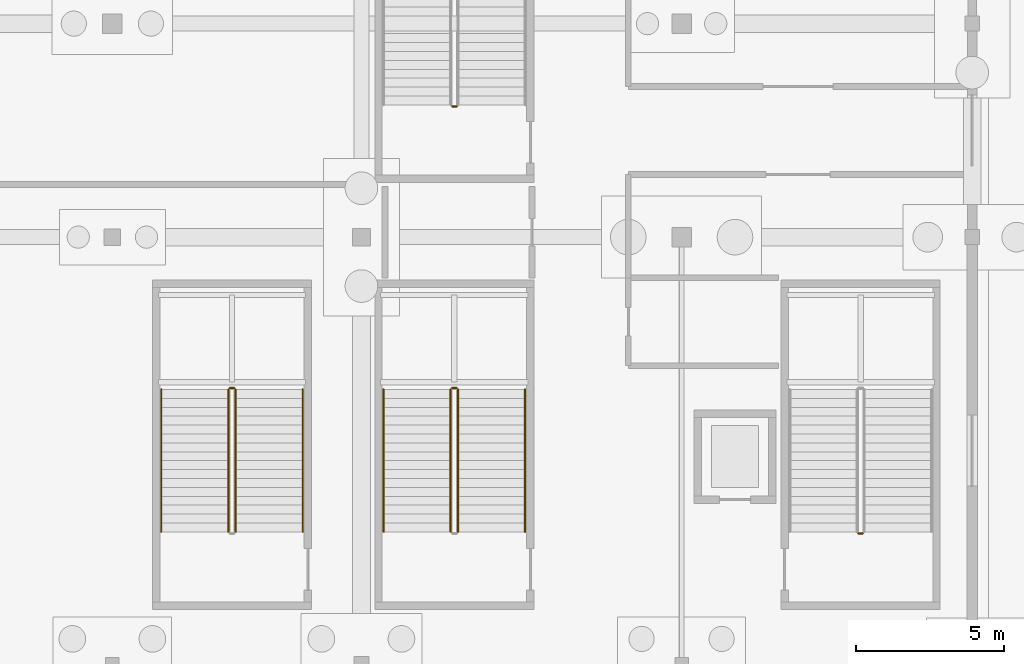
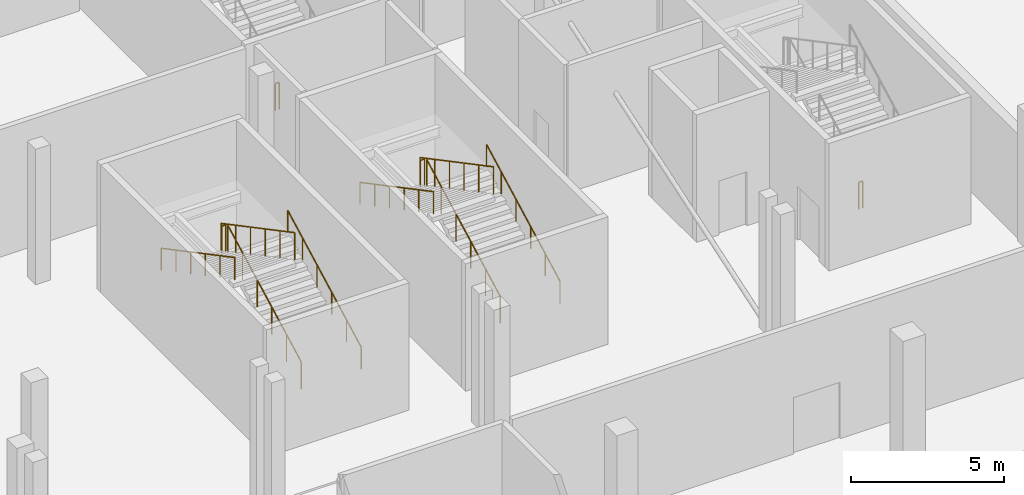
# One storey, part 77 of 89: 12 railings.
"""IFC4 building model written with IfcOpenShell, lengths in metres."""

from ifc_helpers import new_model, si_unit, direction, frame, origin, origin_2d, place, context, subcontext, project, spatial, circle, extrude, material, type_object, element, save


model = new_model("IFC4")

# Units and contexts
model_context = context("Model", 3, precision=1e-05, world=origin(), true_north=direction((0.0, 1.0)))
body_context = subcontext(model_context, "Body", "Model", "MODEL_VIEW")
ifc_project = project(units=[si_unit("LENGTHUNIT", "METRE"), si_unit("AREAUNIT", "SQUARE_METRE"), si_unit("VOLUMEUNIT", "CUBIC_METRE"), si_unit("PLANEANGLEUNIT", "RADIAN"), si_unit("MASSUNIT", "GRAM", prefix="KILO")], contexts=[model_context])

# Site, building, storey
site_placement = place(None, origin())
site = spatial("IfcSite", under=ifc_project, at=site_placement, CompositionType="ELEMENT")
building_placement = place(site_placement, origin())
building = spatial("IfcBuilding", under=site, at=building_placement, Name="Koshinbarg Plaza Stadium", CompositionType="ELEMENT")
storey_placement = place(building_placement, origin())
storey = spatial("IfcBuildingStorey", under=building, at=storey_placement, Name="L00", CompositionType="ELEMENT", Elevation=0.0)

# Railings
ifc_material_1 = material(Name="Galvanized painted steel guardrail", Category="steel")
railing_type_1 = type_object("IfcRailingType", Name="RL-GUARD-1100", PredefinedType="GUARDRAIL", material=ifc_material_1)
railing_1_placement = place(storey_placement, frame((214.7099609375, 29.909912109375, 0.0)))
element("IfcRailing", 1, at=railing_1_placement, inside=storey, type_object=railing_type_1, Name="L00 C07 stair guard 4", PredefinedType="GUARDRAIL", context=body_context, shape_type="SweptSolid", body=[
    extrude(circle(Radius=0.02392578125, at=origin_2d()), frame((0.0, 0.0, 1.076171875), z_axis=(-1.0, 0.0, 0.0), x_axis=(0.0, -1.0, 0.0)), (0.0, 0.0, 1.0), 0.14990234375),
    extrude(circle(Radius=0.02099609375, at=origin_2d()), origin(), (0.0, 0.0, 1.0), 1.052001953125),
    extrude(circle(Radius=0.02099609375, at=origin_2d()), frame((-0.14990234375, 0.0, 0.0)), (0.0, 0.0, 1.0), 1.052001953125),
])
railing_2_placement = place(storey_placement, frame((201.06005859375, 29.9599609375, 0.158935546875)))
element("IfcRailing", 2, at=railing_2_placement, inside=storey, type_object=railing_type_1, Name="L00 VX07 stair guard 1", PredefinedType="GUARDRAIL", context=body_context, shape_type="SweptSolid", body=[
    extrude(circle(Radius=0.02392578125, at=origin_2d()), frame((0.0, 0.0, 1.076171875), z_axis=(0.0, 0.883802130504, 0.467860870469), x_axis=(-1.0, 0.0, 0.0)), (0.0, 0.0, 1.0), 5.43115234375),
    extrude(circle(Radius=0.02099609375, at=origin_2d()), origin(), (0.0, 0.0, 1.0), 1.052001953125),
    extrude(circle(Radius=0.02099609375, at=origin_2d()), frame((0.0, 0.9599609375, 0.50830078125)), (0.0, 0.0, 1.0), 1.052001953125),
    extrude(circle(Radius=0.02099609375, at=origin_2d()), frame((0.0, 1.919921875, 1.016357421875)), (0.0, 0.0, 1.0), 1.052001953125),
    extrude(circle(Radius=0.02099609375, at=origin_2d()), frame((0.0, 2.880126953125, 1.524658203125)), (0.0, 0.0, 1.0), 1.052001953125),
    extrude(circle(Radius=0.02099609375, at=origin_2d()), frame((0.0, 3.840087890625, 2.03271484375)), (0.0, 0.0, 1.0), 1.052001953125),
    extrude(circle(Radius=0.02099609375, at=origin_2d()), frame((0.0, 4.800048828125, 2.541015625)), (0.0, 0.0, 1.0), 1.052001953125),
])
railing_3_placement = place(storey_placement, frame((201.010009765625, 34.81005859375, 2.699951171875)))
element("IfcRailing", 3, at=railing_3_placement, inside=storey, type_object=railing_type_1, Name="L00 VX07 stair guard 2", PredefinedType="GUARDRAIL", context=body_context, shape_type="SweptSolid", body=[
    extrude(circle(Radius=0.02392578125, at=origin_2d()), frame((0.0, 0.0, 1.076171875), z_axis=(-1.0, 0.0, 0.0), x_axis=(0.0, -1.0, 0.0)), (0.0, 0.0, 1.0), 0.14990234375),
    extrude(circle(Radius=0.02099609375, at=origin_2d()), origin(), (0.0, 0.0, 1.0), 1.052001953125),
    extrude(circle(Radius=0.02099609375, at=origin_2d()), frame((-0.14990234375, 0.0, 0.0)), (0.0, 0.0, 1.0), 1.052001953125),
])
railing_4_placement = place(storey_placement, frame((200.81005859375, 34.760009765625, 2.85888671875)))
element("IfcRailing", 4, at=railing_4_placement, inside=storey, type_object=railing_type_1, Name="L00 VX07 stair guard 3", PredefinedType="GUARDRAIL", context=body_context, shape_type="SweptSolid", body=[
    extrude(circle(Radius=0.02392578125, at=origin_2d()), frame((0.0, 0.0, 1.076171875), z_axis=(0.0, -0.883802130504, 0.467860870469), x_axis=(1.0, 0.0, 0.0)), (0.0, 0.0, 1.0), 5.43115234375),
    extrude(circle(Radius=0.02099609375, at=origin_2d()), origin(), (0.0, 0.0, 1.0), 1.052001953125),
    extrude(circle(Radius=0.02099609375, at=origin_2d()), frame((0.0, -0.9599609375, 0.50830078125)), (0.0, 0.0, 1.0), 1.052001953125),
    extrude(circle(Radius=0.02099609375, at=origin_2d()), frame((0.0, -1.919921875, 1.016357421875)), (0.0, 0.0, 1.0), 1.052001953125),
    extrude(circle(Radius=0.02099609375, at=origin_2d()), frame((0.0, -2.880126953125, 1.524658203125)), (0.0, 0.0, 1.0), 1.052001953125),
    extrude(circle(Radius=0.02099609375, at=origin_2d()), frame((0.0, -3.840087890625, 2.03271484375)), (0.0, 0.0, 1.0), 1.052001953125),
    extrude(circle(Radius=0.02099609375, at=origin_2d()), frame((0.0, -4.800048828125, 2.541015625)), (0.0, 0.0, 1.0), 1.052001953125),
])
railing_5_placement = place(storey_placement, frame((201.010009765625, 44.31005859375, 0.0)))
element("IfcRailing", 5, at=railing_5_placement, inside=storey, type_object=railing_type_1, Name="L00 VX08 stair guard 4", PredefinedType="GUARDRAIL", context=body_context, shape_type="SweptSolid", body=[
    extrude(circle(Radius=0.02392578125, at=origin_2d()), frame((0.0, 0.0, 1.076171875), z_axis=(-1.0, 0.0, 0.0), x_axis=(0.0, -1.0, 0.0)), (0.0, 0.0, 1.0), 0.14990234375),
    extrude(circle(Radius=0.02099609375, at=origin_2d()), origin(), (0.0, 0.0, 1.0), 1.052001953125),
    extrude(circle(Radius=0.02099609375, at=origin_2d()), frame((-0.14990234375, 0.0, 0.0)), (0.0, 0.0, 1.0), 1.052001953125),
])
railing_6_placement = place(storey_placement, frame((193.56005859375, 29.9599609375, 0.158935546875)))
element("IfcRailing", 6, at=railing_6_placement, inside=storey, type_object=railing_type_1, Name="L00 VL05 stair guard 1", PredefinedType="GUARDRAIL", context=body_context, shape_type="SweptSolid", body=[
    extrude(circle(Radius=0.02392578125, at=origin_2d()), frame((0.0, 0.0, 1.076171875), z_axis=(0.0, 0.883802130504, 0.467860870469), x_axis=(-1.0, 0.0, 0.0)), (0.0, 0.0, 1.0), 5.43115234375),
    extrude(circle(Radius=0.02099609375, at=origin_2d()), origin(), (0.0, 0.0, 1.0), 1.052001953125),
    extrude(circle(Radius=0.02099609375, at=origin_2d()), frame((0.0, 0.9599609375, 0.50830078125)), (0.0, 0.0, 1.0), 1.052001953125),
    extrude(circle(Radius=0.02099609375, at=origin_2d()), frame((0.0, 1.919921875, 1.016357421875)), (0.0, 0.0, 1.0), 1.052001953125),
    extrude(circle(Radius=0.02099609375, at=origin_2d()), frame((0.0, 2.880126953125, 1.524658203125)), (0.0, 0.0, 1.0), 1.052001953125),
    extrude(circle(Radius=0.02099609375, at=origin_2d()), frame((0.0, 3.840087890625, 2.03271484375)), (0.0, 0.0, 1.0), 1.052001953125),
    extrude(circle(Radius=0.02099609375, at=origin_2d()), frame((0.0, 4.800048828125, 2.541015625)), (0.0, 0.0, 1.0), 1.052001953125),
])
railing_7_placement = place(storey_placement, frame((193.510009765625, 34.81005859375, 2.699951171875)))
element("IfcRailing", 7, at=railing_7_placement, inside=storey, type_object=railing_type_1, Name="L00 VL05 stair guard 2", PredefinedType="GUARDRAIL", context=body_context, shape_type="SweptSolid", body=[
    extrude(circle(Radius=0.02392578125, at=origin_2d()), frame((0.0, 0.0, 1.076171875), z_axis=(-1.0, 0.0, 0.0), x_axis=(0.0, -1.0, 0.0)), (0.0, 0.0, 1.0), 0.14990234375),
    extrude(circle(Radius=0.02099609375, at=origin_2d()), origin(), (0.0, 0.0, 1.0), 1.052001953125),
    extrude(circle(Radius=0.02099609375, at=origin_2d()), frame((-0.14990234375, 0.0, 0.0)), (0.0, 0.0, 1.0), 1.052001953125),
])
railing_8_placement = place(storey_placement, frame((193.31005859375, 34.760009765625, 2.85888671875)))
element("IfcRailing", 8, at=railing_8_placement, inside=storey, type_object=railing_type_1, Name="L00 VL05 stair guard 3", PredefinedType="GUARDRAIL", context=body_context, shape_type="SweptSolid", body=[
    extrude(circle(Radius=0.02392578125, at=origin_2d()), frame((0.0, 0.0, 1.076171875), z_axis=(0.0, -0.883802130504, 0.467860870469), x_axis=(1.0, 0.0, 0.0)), (0.0, 0.0, 1.0), 5.43115234375),
    extrude(circle(Radius=0.02099609375, at=origin_2d()), origin(), (0.0, 0.0, 1.0), 1.052001953125),
    extrude(circle(Radius=0.02099609375, at=origin_2d()), frame((0.0, -0.9599609375, 0.50830078125)), (0.0, 0.0, 1.0), 1.052001953125),
    extrude(circle(Radius=0.02099609375, at=origin_2d()), frame((0.0, -1.919921875, 1.016357421875)), (0.0, 0.0, 1.0), 1.052001953125),
    extrude(circle(Radius=0.02099609375, at=origin_2d()), frame((0.0, -2.880126953125, 1.524658203125)), (0.0, 0.0, 1.0), 1.052001953125),
    extrude(circle(Radius=0.02099609375, at=origin_2d()), frame((0.0, -3.840087890625, 2.03271484375)), (0.0, 0.0, 1.0), 1.052001953125),
    extrude(circle(Radius=0.02099609375, at=origin_2d()), frame((0.0, -4.800048828125, 2.541015625)), (0.0, 0.0, 1.0), 1.052001953125),
])
ifc_material_2 = material(Name="Brushed stainless steel handrail", Category="steel")
railing_type_2 = type_object("IfcRailingType", Name="RL-HAND-900", PredefinedType="HANDRAIL", material=ifc_material_2)
railing_9_placement = place(storey_placement, frame((203.320068359375, 29.9599609375, 0.158935546875)))
element("IfcRailing", 9, at=railing_9_placement, inside=storey, type_object=railing_type_2, Name="L00 VX07 stair handrail 1", PredefinedType="HANDRAIL", context=body_context, shape_type="SweptSolid", body=[
    extrude(circle(Radius=0.02392578125, at=origin_2d()), frame((0.0, 0.0, 0.8759765625), z_axis=(0.0, 0.883802130504, 0.467860870469), x_axis=(-1.0, 0.0, 0.0)), (0.0, 0.0, 1.0), 5.43115234375),
    extrude(circle(Radius=0.02099609375, at=origin_2d()), origin(), (0.0, 0.0, 1.0), 0.851806640625),
    extrude(circle(Radius=0.02099609375, at=origin_2d()), frame((0.0, 0.9599609375, 0.50830078125)), (0.0, 0.0, 1.0), 0.851806640625),
    extrude(circle(Radius=0.02099609375, at=origin_2d()), frame((0.0, 1.919921875, 1.016357421875)), (0.0, 0.0, 1.0), 0.851806640625),
    extrude(circle(Radius=0.02099609375, at=origin_2d()), frame((0.0, 2.880126953125, 1.524658203125)), (0.0, 0.0, 1.0), 0.851806640625),
    extrude(circle(Radius=0.02099609375, at=origin_2d()), frame((0.0, 3.840087890625, 2.03271484375)), (0.0, 0.0, 1.0), 0.851806640625),
    extrude(circle(Radius=0.02099609375, at=origin_2d()), frame((0.0, 4.800048828125, 2.541015625)), (0.0, 0.0, 1.0), 0.851806640625),
])
railing_10_placement = place(storey_placement, frame((198.550048828125, 34.760009765625, 2.85888671875)))
element("IfcRailing", 10, at=railing_10_placement, inside=storey, type_object=railing_type_2, Name="L00 VX07 stair handrail 2", PredefinedType="HANDRAIL", context=body_context, shape_type="SweptSolid", body=[
    extrude(circle(Radius=0.02392578125, at=origin_2d()), frame((0.0, 0.0, 0.8759765625), z_axis=(0.0, -0.883802130504, 0.467860870469), x_axis=(1.0, 0.0, 0.0)), (0.0, 0.0, 1.0), 5.43115234375),
    extrude(circle(Radius=0.02099609375, at=origin_2d()), origin(), (0.0, 0.0, 1.0), 0.851806640625),
    extrude(circle(Radius=0.02099609375, at=origin_2d()), frame((0.0, -0.9599609375, 0.50830078125)), (0.0, 0.0, 1.0), 0.851806640625),
    extrude(circle(Radius=0.02099609375, at=origin_2d()), frame((0.0, -1.919921875, 1.016357421875)), (0.0, 0.0, 1.0), 0.851806640625),
    extrude(circle(Radius=0.02099609375, at=origin_2d()), frame((0.0, -2.880126953125, 1.524658203125)), (0.0, 0.0, 1.0), 0.851806640625),
    extrude(circle(Radius=0.02099609375, at=origin_2d()), frame((0.0, -3.840087890625, 2.03271484375)), (0.0, 0.0, 1.0), 0.851806640625),
    extrude(circle(Radius=0.02099609375, at=origin_2d()), frame((0.0, -4.800048828125, 2.541015625)), (0.0, 0.0, 1.0), 0.851806640625),
])
railing_11_placement = place(storey_placement, frame((195.820068359375, 29.9599609375, 0.158935546875)))
element("IfcRailing", 11, at=railing_11_placement, inside=storey, type_object=railing_type_2, Name="L00 VL05 stair handrail 1", PredefinedType="HANDRAIL", context=body_context, shape_type="SweptSolid", body=[
    extrude(circle(Radius=0.02392578125, at=origin_2d()), frame((0.0, 0.0, 0.8759765625), z_axis=(0.0, 0.883802130504, 0.467860870469), x_axis=(-1.0, 0.0, 0.0)), (0.0, 0.0, 1.0), 5.43115234375),
    extrude(circle(Radius=0.02099609375, at=origin_2d()), origin(), (0.0, 0.0, 1.0), 0.851806640625),
    extrude(circle(Radius=0.02099609375, at=origin_2d()), frame((0.0, 0.9599609375, 0.50830078125)), (0.0, 0.0, 1.0), 0.851806640625),
    extrude(circle(Radius=0.02099609375, at=origin_2d()), frame((0.0, 1.919921875, 1.016357421875)), (0.0, 0.0, 1.0), 0.851806640625),
    extrude(circle(Radius=0.02099609375, at=origin_2d()), frame((0.0, 2.880126953125, 1.524658203125)), (0.0, 0.0, 1.0), 0.851806640625),
    extrude(circle(Radius=0.02099609375, at=origin_2d()), frame((0.0, 3.840087890625, 2.03271484375)), (0.0, 0.0, 1.0), 0.851806640625),
    extrude(circle(Radius=0.02099609375, at=origin_2d()), frame((0.0, 4.800048828125, 2.541015625)), (0.0, 0.0, 1.0), 0.851806640625),
])
railing_12_placement = place(storey_placement, frame((191.050048828125, 34.760009765625, 2.85888671875)))
element("IfcRailing", 12, at=railing_12_placement, inside=storey, type_object=railing_type_2, Name="L00 VL05 stair handrail 2", PredefinedType="HANDRAIL", context=body_context, shape_type="SweptSolid", body=[
    extrude(circle(Radius=0.02392578125, at=origin_2d()), frame((0.0, 0.0, 0.8759765625), z_axis=(0.0, -0.883802130504, 0.467860870469), x_axis=(1.0, 0.0, 0.0)), (0.0, 0.0, 1.0), 5.43115234375),
    extrude(circle(Radius=0.02099609375, at=origin_2d()), origin(), (0.0, 0.0, 1.0), 0.851806640625),
    extrude(circle(Radius=0.02099609375, at=origin_2d()), frame((0.0, -0.9599609375, 0.50830078125)), (0.0, 0.0, 1.0), 0.851806640625),
    extrude(circle(Radius=0.02099609375, at=origin_2d()), frame((0.0, -1.919921875, 1.016357421875)), (0.0, 0.0, 1.0), 0.851806640625),
    extrude(circle(Radius=0.02099609375, at=origin_2d()), frame((0.0, -2.880126953125, 1.524658203125)), (0.0, 0.0, 1.0), 0.851806640625),
    extrude(circle(Radius=0.02099609375, at=origin_2d()), frame((0.0, -3.840087890625, 2.03271484375)), (0.0, 0.0, 1.0), 0.851806640625),
    extrude(circle(Radius=0.02099609375, at=origin_2d()), frame((0.0, -4.800048828125, 2.541015625)), (0.0, 0.0, 1.0), 0.851806640625),
])

save(model, "model.ifc")
